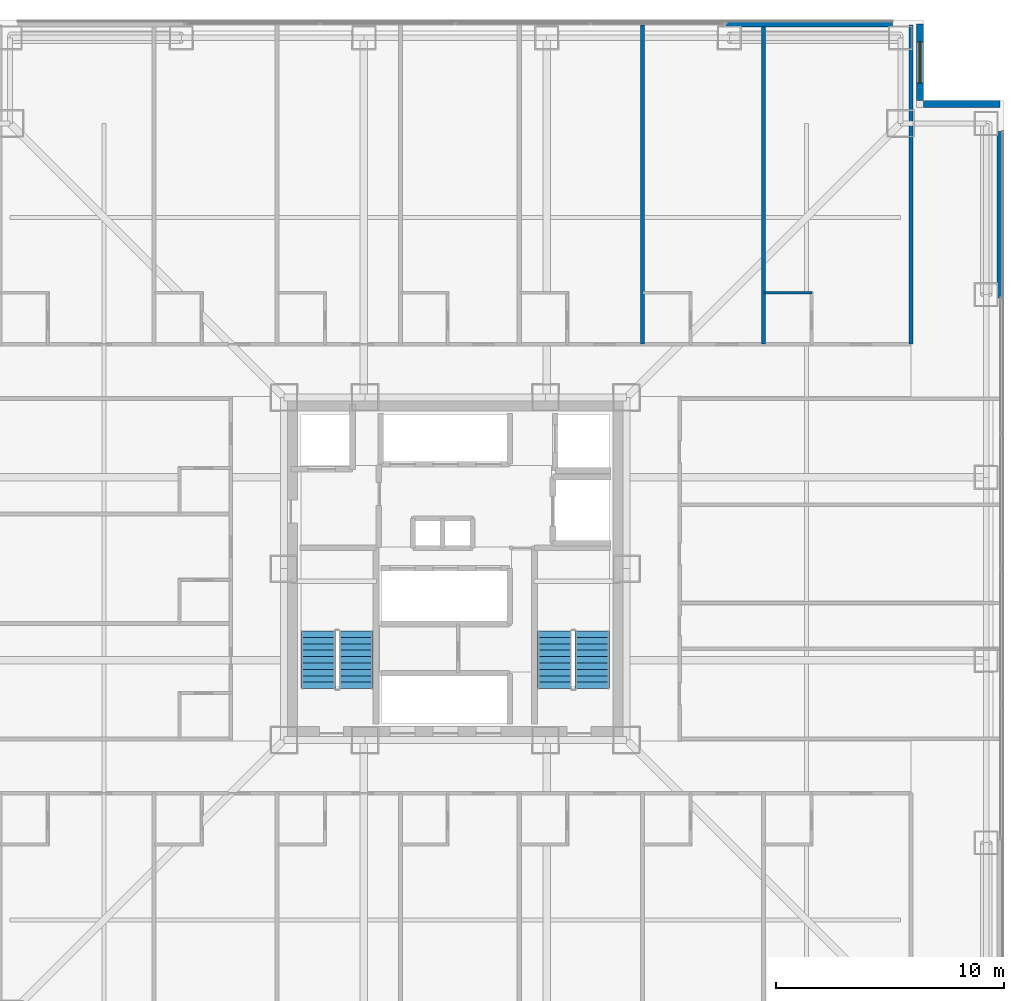
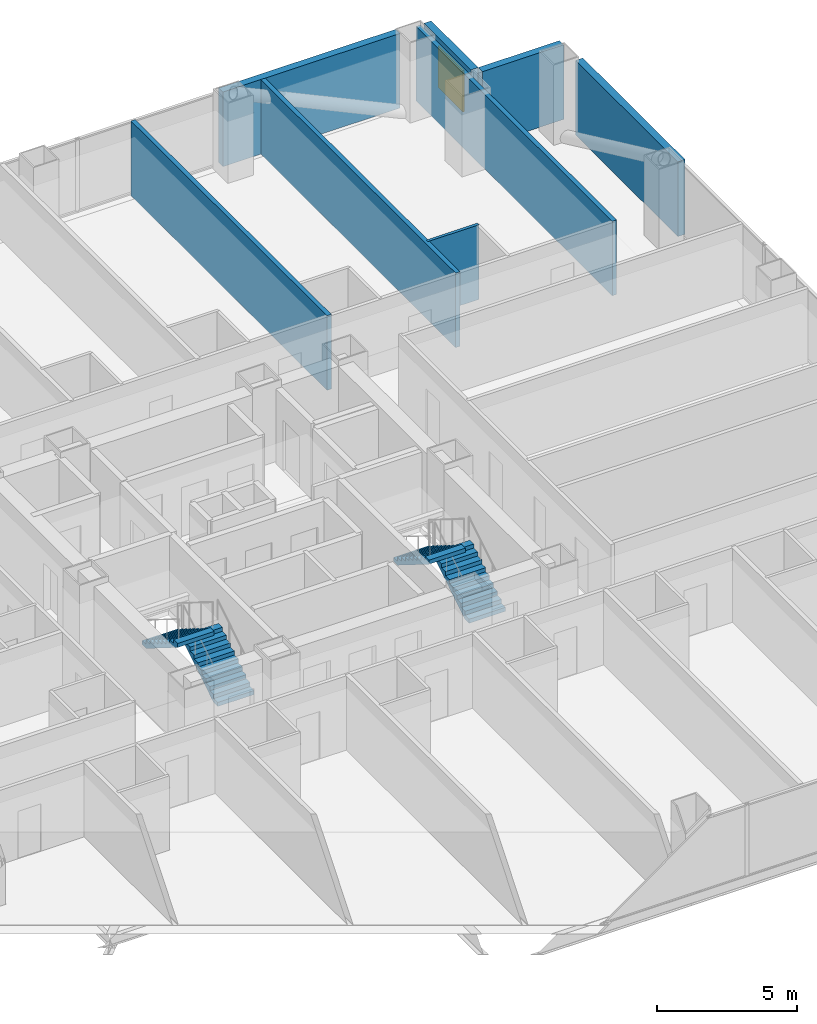
# One storey, part 20 of 23: 8 walls, 4 stair flights, 1 window, 1 opening, 2 elements without a shape of their own.
"""IFC4 building model written with IfcOpenShell, lengths in metres."""

from ifc_helpers import new_model, si_unit, direction, frame, frame_2d, origin, place, context, subcontext, project, spatial, polyline, rectangle, outline, extrude, material, layer, layer_set, type_object, element, fill, aggregate, save


model = new_model("IFC4")

# Units and contexts
model_context = context("Model", 3, precision=1e-05, world=origin(), true_north=direction((0.0, 1.0)))
body_context = subcontext(model_context, "Body", "Model", "MODEL_VIEW")
ifc_project = project(units=[si_unit("LENGTHUNIT", "METRE"), si_unit("AREAUNIT", "SQUARE_METRE"), si_unit("VOLUMEUNIT", "CUBIC_METRE"), si_unit("PLANEANGLEUNIT", "RADIAN"), si_unit("MASSUNIT", "GRAM", prefix="KILO")], contexts=[model_context])

# Site, building, storey
site_placement = place(None, origin())
site = spatial("IfcSite", under=ifc_project, at=site_placement, CompositionType="ELEMENT")
building_placement = place(site_placement, origin())
building = spatial("IfcBuilding", under=site, at=building_placement, Name="Trevonay Congress Spire", CompositionType="ELEMENT")
storey_placement = place(building_placement, frame((0.0, 0.0, 34.0)))
storey = spatial("IfcBuildingStorey", under=building, at=storey_placement, Name="L07", CompositionType="ELEMENT", Elevation=34.0)

# Walls
ifc_material_1 = material(Name="Concrete C40/50", Category="concrete")
ifc_layer_1 = layer(ifc_material_1, 0.1201171875, Name="Concrete C40/50")
ifc_layer_set_1 = layer_set([ifc_layer_1], Name="Concrete C40/50")
wall_type_1 = type_object("IfcWallType", Name="WAL-BATH-120", PredefinedType="PLUMBINGWALL", material=ifc_layer_set_1)
wall_1_placement = place(storey_placement, frame((13.530029296875, 12.080078125, 0.0), z_axis=(0.0, 0.0, 1.0), x_axis=(1.0, 0.0, 0.0)))
element("IfcWall", 1, at=wall_1_placement, inside=storey, type_object=wall_type_1, Name="L07 interior wall WH-L07N-BF7", PredefinedType="PLUMBINGWALL", context=body_context, shape_type="SweptSolid", body=[
    extrude(rectangle(XDim=2.099853515625, YDim=0.1201171875, at=frame_2d((1.0498046875, 0.0))), origin(), (0.0, 0.0, 1.0), 3.25),
])
ifc_material_2 = material(Name="Precast concrete C40/50", Category="concrete")
ifc_layer_2 = layer(ifc_material_2, 0.300048828125, Name="Precast concrete C40/50")
ifc_layer_set_2 = layer_set([ifc_layer_2], Name="Precast concrete C40/50")
wall_type_2 = type_object("IfcWallType", Name="WAL-EXT-PRECAST-300", PredefinedType="SOLIDWALL", material=ifc_layer_set_2)
for number, where, z_axis, x_axis, name in (
    (2, (11.85009765625, 23.8798828125, 0.0), (0.0, 0.0, 1.0), (1.0, 0.0, 0.0), "L07 NR braced-bay exterior pier wall"),
    (3, (23.8798828125, 11.85009765625, 0.0), (0.0, 0.0, 1.0), (0.0, 1.0, 0.0), "L07 ER braced-bay exterior pier wall"),
):
    element("IfcWall", number, at=place(storey_placement, frame(where, z_axis=z_axis, x_axis=x_axis)), inside=storey, type_object=wall_type_2, Name=name, PredefinedType="SOLIDWALL", context=body_context, shape_type="SweptSolid", body=[
        extrude(rectangle(XDim=7.2998046875, YDim=0.300048828125, at=frame_2d((3.64990234375, 0.0))), origin(), (0.0, 0.0, 1.0), 3.25),
    ])

# Wall, opening, window
wall_2_placement = place(storey_placement, frame((20.35009765625, 23.85009765625, 0.0), z_axis=(0.0, 0.0, 1.0), x_axis=(0.0, -1.0, 0.0)))
wall_2 = element("IfcWall", 4, at=wall_2_placement, inside=storey, type_object=wall_type_2, Name="L07 NE re-entrant notch exterior wall 1", PredefinedType="SOLIDWALL", context=body_context, shape_type="SweptSolid", body=[
    extrude(rectangle(XDim=3.35009765625, YDim=0.300048828125, at=frame_2d((1.675048828125, 0.0))), origin(), (0.0, 0.0, 1.0), 3.25),
])
opening_placement = place(wall_2_placement, frame((0.77490234375, 0.0, 0.89990234375)))
opening = element("IfcOpeningElement", 5, at=opening_placement, cuts=wall_2, Name="Opening WN01", PredefinedType="OPENING", context=body_context, shape_type="SweptSolid", body=[
    extrude(rectangle(XDim=1.800048828125, YDim=1.800048828125, at=frame_2d((0.89990234375, 0.89990234375))), frame((0.0, 0.16015625, 0.0), z_axis=(0.0, -1.0, 0.0), x_axis=(1.0, 0.0, 0.0)), (0.0, 0.0, 1.0), 0.320068359375),
])
ifc_material_3 = material(Name="Insulated Low-E Vision Glass IGU", Category="glass")
window_type = type_object("IfcWindowType", Name="WIN-HOTEL-180X180", PartitioningType="SINGLE_PANEL", PredefinedType="WINDOW", material=ifc_material_3)
window_placement = place(opening_placement, origin())
window = element("IfcWindow", 6, at=window_placement, inside=storey, type_object=window_type, Name="L07 NE corner notch window", OverallHeight=1.800048828125, OverallWidth=1.800048828125, PartitioningType="SINGLE_PANEL", PredefinedType="WINDOW", context=body_context, shape_type="SweptSolid", body=[
    extrude(rectangle(XDim=1.800048828125, YDim=1.800048828125, at=frame_2d((0.89990234375, 0.89990234375))), frame((0.0, 0.030029296875, 0.0), z_axis=(0.0, -1.0, 0.0), x_axis=(1.0, 0.0, 0.0)), (0.0, 0.0, 1.0), 0.06005859375),
])
fill(opening, window)

# Walls
wall_3_placement = place(storey_placement, frame((23.85009765625, 20.35009765625, 0.0), z_axis=(0.0, 0.0, 1.0), x_axis=(-1.0, 0.0, 0.0)))
element("IfcWall", 7, at=wall_3_placement, inside=storey, type_object=wall_type_2, Name="L07 NE re-entrant notch exterior wall 2", PredefinedType="SOLIDWALL", context=body_context, shape_type="SweptSolid", body=[
    extrude(rectangle(XDim=3.35009765625, YDim=0.300048828125, at=frame_2d((1.675048828125, 0.0))), origin(), (0.0, 0.0, 1.0), 3.25),
])
ifc_layer_3 = layer(ifc_material_1, 0.179931640625, Name="Concrete C40/50")
ifc_layer_set_3 = layer_set([ifc_layer_3], Name="Concrete C40/50")
wall_type_3 = type_object("IfcWallType", Name="WAL-HOTEL-180", PredefinedType="PARTITIONING", material=ifc_layer_set_3)
for number, where, z_axis, x_axis, name in (
    (8, (8.199951171875, 9.830078125, 0.0), (0.0, 0.0, 1.0), (0.0, 1.0, 0.0), "L07 interior wall WH-L07N-DIV6"),
    (9, (13.5, 9.830078125, 0.0), (0.0, 0.0, 1.0), (0.0, 1.0, 0.0), "L07 interior wall WH-L07N-DIV7"),
    (10, (19.949951171875, 9.830078125, 0.0), (0.0, 0.0, 1.0), (0.0, 1.0, 0.0), "L07 interior wall WH-L07N-DIV8"),
):
    element("IfcWall", number, at=place(storey_placement, frame(where, z_axis=z_axis, x_axis=x_axis)), inside=storey, type_object=wall_type_3, Name=name, PredefinedType="PARTITIONING", context=body_context, shape_type="SweptSolid", body=[
        extrude(rectangle(XDim=13.989990234375, YDim=0.179931640625, at=frame_2d((6.9951171875, 0.0))), origin(), (0.0, 0.0, 1.0), 3.25),
    ])

# Stair, stair flights
stair_type_1 = type_object("IfcStairType", Name="STR-ST-1", PredefinedType="HALF_TURN_STAIR", material=ifc_material_1)
stair_1_placement = place(storey_placement, origin())
stair_1 = element("IfcStair", 11, at=stair_1_placement, inside=storey, type_object=stair_type_1, Name="L07 Protected Exit Stair ST-1", PredefinedType="HALF_TURN_STAIR")
stair_flight_type_1 = type_object("IfcStairFlightType", Name="SFL-ST-1", PredefinedType="STRAIGHT", material=ifc_material_1)
stair_flight_1_placement = place(storey_placement, frame((-4.35009765625, -5.25, 0.0), z_axis=(0.0, 0.0, 1.0), x_axis=(0.0, 1.0, 0.0)))
stair_flight_1 = element("IfcStairFlight", 12, at=stair_flight_1_placement, type_object=stair_flight_type_1, Name="ST-1 flight 1", NumberOfRisers=10, NumberOfTreads=9, PredefinedType="STRAIGHT", RiserHeight=0.175, TreadLength=0.28, context=body_context, shape_type="SweptSolid", body=[
    extrude(outline(polyline([(0.0, 0.0), (0.0, 0.175048828125), (0.280029296875, 0.175048828125), (0.280029296875, 0.35009765625), (0.56005859375, 0.35009765625), (0.56005859375, 0.52490234375), (0.840087890625, 0.52490234375), (0.840087890625, 0.699951171875), (1.1201171875, 0.699951171875), (1.1201171875, 0.875), (1.39990234375, 0.875), (1.39990234375, 1.050048828125), (1.679931640625, 1.050048828125), (1.679931640625, 1.22509765625), (1.9599609375, 1.22509765625), (1.9599609375, 1.39990234375), (2.239990234375, 1.39990234375), (2.239990234375, 1.574951171875), (2.52001953125, 1.574951171875), (2.52001953125, 1.75), (2.52001953125, 1.398193359375), (0.28271484375, 0.0), (0.0, 0.0)])), frame((0.0, 0.75, 0.0), z_axis=(0.0, -1.0, 0.0), x_axis=(1.0, 0.0, 0.0)), (0.0, 0.0, 1.0), 1.5),
])
stair_flight_2_placement = place(storey_placement, frame((-6.0, -2.72998046875, 1.75), z_axis=(0.0, 0.0, 1.0), x_axis=(0.0, -1.0, 0.0)))
stair_flight_2 = element("IfcStairFlight", 13, at=stair_flight_2_placement, type_object=stair_flight_type_1, Name="ST-1 flight 2", NumberOfRisers=10, NumberOfTreads=9, PredefinedType="STRAIGHT", RiserHeight=0.175, TreadLength=0.28, context=body_context, shape_type="SweptSolid", body=[
    extrude(outline(polyline([(0.0, 0.0), (0.0, 0.175048828125), (0.280029296875, 0.175048828125), (0.280029296875, 0.35009765625), (0.56005859375, 0.35009765625), (0.56005859375, 0.52490234375), (0.840087890625, 0.52490234375), (0.840087890625, 0.699951171875), (1.1201171875, 0.699951171875), (1.1201171875, 0.875), (1.39990234375, 0.875), (1.39990234375, 1.050048828125), (1.679931640625, 1.050048828125), (1.679931640625, 1.22509765625), (1.9599609375, 1.22509765625), (1.9599609375, 1.39990234375), (2.239990234375, 1.39990234375), (2.239990234375, 1.574951171875), (2.52001953125, 1.574951171875), (2.52001953125, 1.75), (2.52001953125, 1.398193359375), (0.28271484375, 0.0), (0.0, 0.0)])), frame((0.0, 0.75, 0.0), z_axis=(0.0, -1.0, 0.0), x_axis=(1.0, 0.0, 0.0)), (0.0, 0.0, 1.0), 1.5),
])
aggregate(stair_1, [stair_flight_1, stair_flight_2])

stair_type_2 = type_object("IfcStairType", Name="STR-ST-2", PredefinedType="HALF_TURN_STAIR", material=ifc_material_1)
stair_2_placement = place(storey_placement, origin())
stair_2 = element("IfcStair", 14, at=stair_2_placement, inside=storey, type_object=stair_type_2, Name="L07 Protected Exit Stair ST-2", PredefinedType="HALF_TURN_STAIR")
stair_flight_type_2 = type_object("IfcStairFlightType", Name="SFL-ST-2", PredefinedType="STRAIGHT", material=ifc_material_1)
stair_flight_3_placement = place(storey_placement, frame((6.0, -5.25, 0.0), z_axis=(0.0, 0.0, 1.0), x_axis=(0.0, 1.0, 0.0)))
stair_flight_3 = element("IfcStairFlight", 15, at=stair_flight_3_placement, type_object=stair_flight_type_2, Name="ST-2 flight 1", NumberOfRisers=10, NumberOfTreads=9, PredefinedType="STRAIGHT", RiserHeight=0.175, TreadLength=0.28, context=body_context, shape_type="SweptSolid", body=[
    extrude(outline(polyline([(0.0, 0.0), (0.0, 0.175048828125), (0.280029296875, 0.175048828125), (0.280029296875, 0.35009765625), (0.56005859375, 0.35009765625), (0.56005859375, 0.52490234375), (0.840087890625, 0.52490234375), (0.840087890625, 0.699951171875), (1.1201171875, 0.699951171875), (1.1201171875, 0.875), (1.39990234375, 0.875), (1.39990234375, 1.050048828125), (1.679931640625, 1.050048828125), (1.679931640625, 1.22509765625), (1.9599609375, 1.22509765625), (1.9599609375, 1.39990234375), (2.239990234375, 1.39990234375), (2.239990234375, 1.574951171875), (2.52001953125, 1.574951171875), (2.52001953125, 1.75), (2.52001953125, 1.398193359375), (0.28271484375, 0.0), (0.0, 0.0)])), frame((0.0, 0.75, 0.0), z_axis=(0.0, -1.0, 0.0), x_axis=(1.0, 0.0, 0.0)), (0.0, 0.0, 1.0), 1.5),
])
stair_flight_4_placement = place(storey_placement, frame((4.35009765625, -2.72998046875, 1.75), z_axis=(0.0, 0.0, 1.0), x_axis=(0.0, -1.0, 0.0)))
stair_flight_4 = element("IfcStairFlight", 16, at=stair_flight_4_placement, type_object=stair_flight_type_2, Name="ST-2 flight 2", NumberOfRisers=10, NumberOfTreads=9, PredefinedType="STRAIGHT", RiserHeight=0.175, TreadLength=0.28, context=body_context, shape_type="SweptSolid", body=[
    extrude(outline(polyline([(0.0, 0.0), (0.0, 0.175048828125), (0.280029296875, 0.175048828125), (0.280029296875, 0.35009765625), (0.56005859375, 0.35009765625), (0.56005859375, 0.52490234375), (0.840087890625, 0.52490234375), (0.840087890625, 0.699951171875), (1.1201171875, 0.699951171875), (1.1201171875, 0.875), (1.39990234375, 0.875), (1.39990234375, 1.050048828125), (1.679931640625, 1.050048828125), (1.679931640625, 1.22509765625), (1.9599609375, 1.22509765625), (1.9599609375, 1.39990234375), (2.239990234375, 1.39990234375), (2.239990234375, 1.574951171875), (2.52001953125, 1.574951171875), (2.52001953125, 1.75), (2.52001953125, 1.398193359375), (0.28271484375, 0.0), (0.0, 0.0)])), frame((0.0, 0.75, 0.0), z_axis=(0.0, -1.0, 0.0), x_axis=(1.0, 0.0, 0.0)), (0.0, 0.0, 1.0), 1.5),
])
aggregate(stair_2, [stair_flight_3, stair_flight_4])

save(model, "model.ifc")
